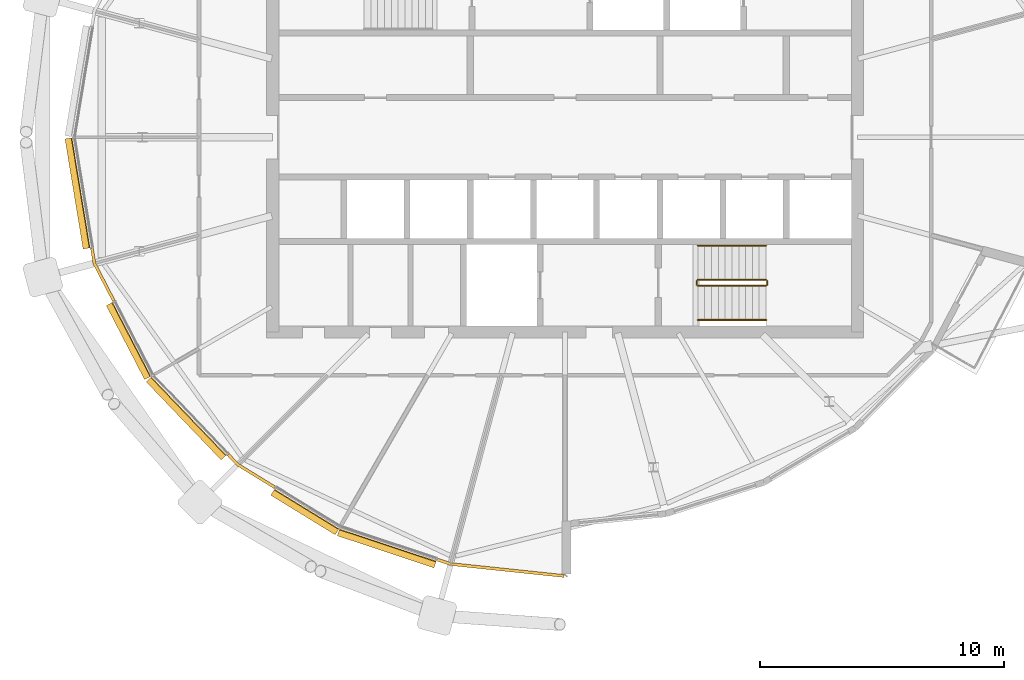
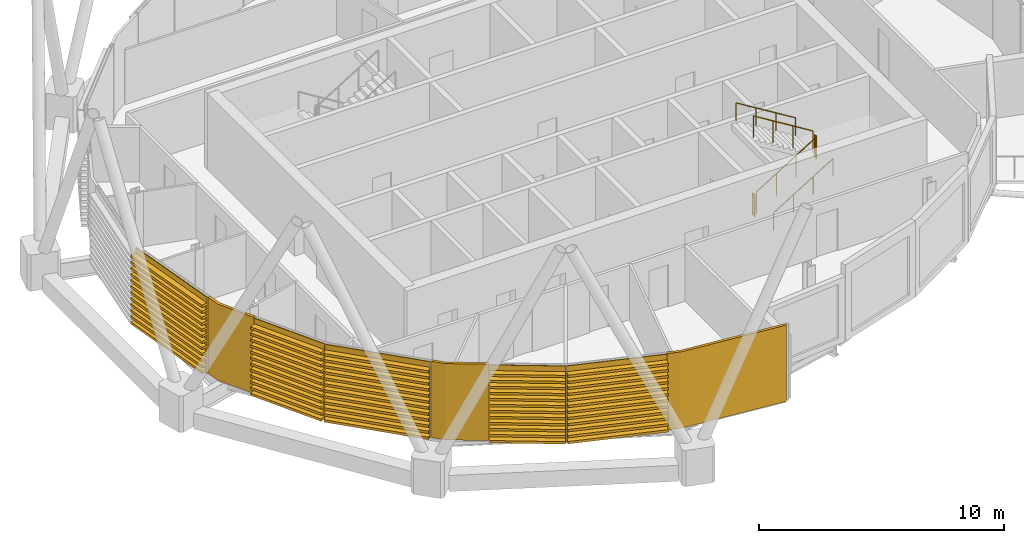
# One storey, part 26 of 31: 8 coverings, 6 railings.
"""IFC4 building model written with IfcOpenShell, lengths in metres."""

from ifc_helpers import new_model, si_unit, direction, frame, origin, origin_2d, place, context, subcontext, project, spatial, polyline, circle, outline, extrude, material, layer, layer_set, material_profile, profile_set, type_object, element, save


model = new_model("IFC4")

# Units and contexts
model_context = context("Model", 3, precision=1e-05, world=origin(), true_north=direction((0.0, 1.0)))
body_context = subcontext(model_context, "Body", "Model", "MODEL_VIEW")
ifc_project = project(units=[si_unit("LENGTHUNIT", "METRE"), si_unit("AREAUNIT", "SQUARE_METRE"), si_unit("VOLUMEUNIT", "CUBIC_METRE"), si_unit("PLANEANGLEUNIT", "RADIAN"), si_unit("MASSUNIT", "GRAM", prefix="KILO")], contexts=[model_context])

# Site, building, storey
site_placement = place(None, origin())
site = spatial("IfcSite", under=ifc_project, at=site_placement, CompositionType="ELEMENT")
building_placement = place(site_placement, origin())
building = spatial("IfcBuilding", under=site, at=building_placement, Name="Rimbun Link Towers", CompositionType="ELEMENT")
storey_placement = place(building_placement, frame((0.0, 0.0, 244.699951171875)))
storey = spatial("IfcBuildingStorey", under=building, at=storey_placement, Name="L60", CompositionType="ELEMENT", Elevation=244.699951171875)

# Coverings
ifc_material_1 = material(Name="Terracotta", Category="masonry")
ifc_layer = layer(ifc_material_1, 0.1201171875)
ifc_layer_set = layer_set([ifc_layer], Name="LINK PIER terracotta cladding 120")
covering_type_1 = type_object("IfcCoveringType", Name="LINK PIER terracotta cladding 120", PredefinedType="CLADDING", material=ifc_layer_set)
covering_1_placement = place(storey_placement, origin())
element("IfcCovering", 1, at=covering_1_placement, inside=storey, type_object=covering_type_1, Name="LINK PIER cladding", PredefinedType="CLADDING", context=body_context, shape_type="SweptSolid", body=[
    extrude(outline(polyline([(-50.21875, -6.688232421875), (-51.009033203125, -5.160400390625), (-51.109619140625, -4.548828125), (-51.22802734375, -4.568115234375), (-51.12451171875, -5.19873046875), (-50.3251953125, -6.7431640625), (-50.21875, -6.688232421875)])), origin(), (0.0, 0.0, 1.0), 3.800048828125),
])
covering_2_placement = place(storey_placement, origin())
element("IfcCovering", 2, at=covering_2_placement, inside=storey, type_object=covering_type_1, Name="LINK PIER cladding", PredefinedType="CLADDING", context=body_context, shape_type="SweptSolid", body=[
    extrude(outline(polyline([(-43.6337890625, -14.318115234375), (-45.14208984375, -13.39208984375), (-45.53662109375, -12.980712890625), (-45.623291015625, -13.063720703125), (-45.218017578125, -13.486328125), (-43.696533203125, -14.42041015625), (-43.6337890625, -14.318115234375)])), origin(), (0.0, 0.0, 1.0), 3.800048828125),
])
covering_3_placement = place(storey_placement, origin())
element("IfcCovering", 3, at=covering_3_placement, inside=storey, type_object=covering_type_1, Name="LINK PIER cladding", PredefinedType="CLADDING", context=body_context, shape_type="SweptSolid", body=[
    extrude(outline(polyline([(-31.77978515625, -17.9501953125), (-36.428466796875, -17.460693359375), (-36.969482421875, -17.28125), (-37.00732421875, -17.395263671875), (-36.453857421875, -17.57861328125), (-31.79248046875, -18.069580078125), (-31.77978515625, -17.9501953125)])), origin(), (0.0, 0.0, 1.0), 3.800048828125),
])

# Railings
ifc_material_2 = material(Name="Stainless steel grade 316", Category="steel")
railing_type_1 = type_object("IfcRailingType", Name="Stair guard", PredefinedType="GUARDRAIL", material=ifc_material_2)
railing_1_placement = place(storey_placement, frame((-26.300048828125, -6.10009765625, 0.1728515625)))
element("IfcRailing", 4, at=railing_1_placement, inside=storey, type_object=railing_type_1, Name="L60 ST2 stair guard 1", PredefinedType="GUARDRAIL", context=body_context, shape_type="SweptSolid", body=[
    extrude(circle(Radius=0.02392578125, at=origin_2d()), frame((0.0, 0.0, 1.076171875), z_axis=(0.851089632645, 0.0, 0.525020415988), x_axis=(0.0, 1.0, 0.0)), (0.0, 0.0, 1.0), 3.2900390625),
    extrude(circle(Radius=0.02099609375, at=origin_2d()), origin(), (0.0, 0.0, 1.0), 1.052001953125),
    extrude(circle(Radius=0.02099609375, at=origin_2d()), frame((0.933349609375, 0.0, 0.57568359375)), (0.0, 0.0, 1.0), 1.052001953125),
    extrude(circle(Radius=0.02099609375, at=origin_2d()), frame((1.86669921875, 0.0, 1.151611328125)), (0.0, 0.0, 1.0), 1.052001953125),
    extrude(circle(Radius=0.02099609375, at=origin_2d()), frame((2.800048828125, 0.0, 1.727294921875)), (0.0, 0.0, 1.0), 1.052001953125),
])
railing_2_placement = place(storey_placement, frame((-23.449951171875, -6.050048828125, 1.900146484375)))
element("IfcRailing", 5, at=railing_2_placement, inside=storey, type_object=railing_type_1, Name="L60 ST2 stair guard 2", PredefinedType="GUARDRAIL", context=body_context, shape_type="SweptSolid", body=[
    extrude(circle(Radius=0.02392578125, at=origin_2d()), frame((0.0, 0.0, 1.076171875), z_axis=(0.0, 1.0, 0.0), x_axis=(-1.0, 0.0, 0.0)), (0.0, 0.0, 1.0), 0.150146484375),
    extrude(circle(Radius=0.02099609375, at=origin_2d()), origin(), (0.0, 0.0, 1.0), 1.052001953125),
    extrude(circle(Radius=0.02099609375, at=origin_2d()), frame((0.0, 0.150146484375, 0.0)), (0.0, 0.0, 1.0), 1.052001953125),
])
railing_3_placement = place(storey_placement, frame((-23.5, -5.85009765625, 2.07275390625)))
element("IfcRailing", 6, at=railing_3_placement, inside=storey, type_object=railing_type_1, Name="L60 ST2 stair guard 3", PredefinedType="GUARDRAIL", context=body_context, shape_type="SweptSolid", body=[
    extrude(circle(Radius=0.02392578125, at=origin_2d()), frame((0.0, 0.0, 1.076171875), z_axis=(-0.851089632645, 0.0, 0.525020415988), x_axis=(0.0, -1.0, 0.0)), (0.0, 0.0, 1.0), 3.2900390625),
    extrude(circle(Radius=0.02099609375, at=origin_2d()), origin(), (0.0, 0.0, 1.0), 1.052001953125),
    extrude(circle(Radius=0.02099609375, at=origin_2d()), frame((-0.933349609375, 0.0, 0.57568359375)), (0.0, 0.0, 1.0), 1.052001953125),
    extrude(circle(Radius=0.02099609375, at=origin_2d()), frame((-1.86669921875, 0.0, 1.151611328125)), (0.0, 0.0, 1.0), 1.052001953125),
    extrude(circle(Radius=0.02099609375, at=origin_2d()), frame((-2.800048828125, 0.0, 1.727294921875)), (0.0, 0.0, 1.0), 1.052001953125),
])
railing_4_placement = place(storey_placement, frame((-26.35009765625, -6.050048828125, 0.0)))
element("IfcRailing", 7, at=railing_4_placement, inside=storey, type_object=railing_type_1, Name="L60 ST2 stair guard 4", PredefinedType="GUARDRAIL", context=body_context, shape_type="SweptSolid", body=[
    extrude(circle(Radius=0.02392578125, at=origin_2d()), frame((0.0, 0.0, 1.076171875), z_axis=(0.0, 1.0, 0.0), x_axis=(-1.0, 0.0, 0.0)), (0.0, 0.0, 1.0), 0.150146484375),
    extrude(circle(Radius=0.02099609375, at=origin_2d()), origin(), (0.0, 0.0, 1.0), 1.052001953125),
    extrude(circle(Radius=0.02099609375, at=origin_2d()), frame((0.0, 0.150146484375, 0.0)), (0.0, 0.0, 1.0), 1.052001953125),
])
ifc_material_3 = material(Name="Stainless steel grade 316", Category="steel")
railing_type_2 = type_object("IfcRailingType", Name="Stair handrail", PredefinedType="HANDRAIL", material=ifc_material_3)
railing_5_placement = place(storey_placement, frame((-26.300048828125, -7.5, 0.1728515625)))
element("IfcRailing", 8, at=railing_5_placement, inside=storey, type_object=railing_type_2, Name="L60 ST2 stair handrail 1", PredefinedType="HANDRAIL", context=body_context, shape_type="SweptSolid", body=[
    extrude(circle(Radius=0.02392578125, at=origin_2d()), frame((0.0, 0.0, 0.8759765625), z_axis=(0.851089632645, 0.0, 0.525020415988), x_axis=(0.0, 1.0, 0.0)), (0.0, 0.0, 1.0), 3.2900390625),
    extrude(circle(Radius=0.02099609375, at=origin_2d()), origin(), (0.0, 0.0, 1.0), 0.851806640625),
    extrude(circle(Radius=0.02099609375, at=origin_2d()), frame((0.933349609375, 0.0, 0.57568359375)), (0.0, 0.0, 1.0), 0.851806640625),
    extrude(circle(Radius=0.02099609375, at=origin_2d()), frame((1.86669921875, 0.0, 1.151611328125)), (0.0, 0.0, 1.0), 0.851806640625),
    extrude(circle(Radius=0.02099609375, at=origin_2d()), frame((2.800048828125, 0.0, 1.727294921875)), (0.0, 0.0, 1.0), 0.851806640625),
])
railing_6_placement = place(storey_placement, frame((-23.5, -4.449951171875, 2.07275390625)))
element("IfcRailing", 9, at=railing_6_placement, inside=storey, type_object=railing_type_2, Name="L60 ST2 stair handrail 2", PredefinedType="HANDRAIL", context=body_context, shape_type="SweptSolid", body=[
    extrude(circle(Radius=0.02392578125, at=origin_2d()), frame((0.0, 0.0, 0.8759765625), z_axis=(-0.851089632645, 0.0, 0.525020415988), x_axis=(0.0, -1.0, 0.0)), (0.0, 0.0, 1.0), 3.2900390625),
    extrude(circle(Radius=0.02099609375, at=origin_2d()), origin(), (0.0, 0.0, 1.0), 0.851806640625),
    extrude(circle(Radius=0.02099609375, at=origin_2d()), frame((-0.933349609375, 0.0, 0.57568359375)), (0.0, 0.0, 1.0), 0.851806640625),
    extrude(circle(Radius=0.02099609375, at=origin_2d()), frame((-1.86669921875, 0.0, 1.151611328125)), (0.0, 0.0, 1.0), 0.851806640625),
    extrude(circle(Radius=0.02099609375, at=origin_2d()), frame((-2.800048828125, 0.0, 1.727294921875)), (0.0, 0.0, 1.0), 0.851806640625),
])

# Coverings
ifc_material_4 = material(Name="Terracotta", Category="masonry")
ifc_material_profile = material_profile(ifc_material_4, outline(polyline([(0.123046875, 0.0), (0.1630859375, 0.0), (0.1630859375, 0.10009765625), (0.423095703125, 0.10009765625), (0.423095703125, 0.219970703125), (0.1630859375, 0.219970703125), (0.1630859375, 0.39990234375), (0.423095703125, 0.39990234375), (0.423095703125, 0.52001953125), (0.1630859375, 0.52001953125), (0.1630859375, 0.699951171875), (0.423095703125, 0.699951171875), (0.423095703125, 0.820068359375), (0.1630859375, 0.820068359375), (0.1630859375, 1.0), (0.423095703125, 1.0), (0.423095703125, 1.1201171875), (0.1630859375, 1.1201171875), (0.1630859375, 1.300048828125), (0.423095703125, 1.300048828125), (0.423095703125, 1.419921875), (0.1630859375, 1.419921875), (0.1630859375, 1.60009765625), (0.423095703125, 1.60009765625), (0.423095703125, 1.719970703125), (0.1630859375, 1.719970703125), (0.1630859375, 1.89990234375), (0.423095703125, 1.89990234375), (0.423095703125, 2.02001953125), (0.1630859375, 2.02001953125), (0.1630859375, 2.199951171875), (0.423095703125, 2.199951171875), (0.423095703125, 2.320068359375), (0.1630859375, 2.320068359375), (0.1630859375, 2.5), (0.423095703125, 2.5), (0.423095703125, 2.6201171875), (0.1630859375, 2.6201171875), (0.1630859375, 2.800048828125), (0.423095703125, 2.800048828125), (0.423095703125, 2.919921875), (0.1630859375, 2.919921875), (0.1630859375, 3.10009765625), (0.423095703125, 3.10009765625), (0.423095703125, 3.219970703125), (0.1630859375, 3.219970703125), (0.1630859375, 3.39990234375), (0.423095703125, 3.39990234375), (0.423095703125, 3.52001953125), (0.1630859375, 3.52001953125), (0.1630859375, 3.800048828125), (0.123046875, 3.800048828125), (0.123046875, 0.0)])), Name="BAGUETTE 120X300")
ifc_profile_set = profile_set([ifc_material_profile], Name="Terracotta")
covering_type_2 = type_object("IfcCoveringType", Name="TERRACOTTA BAGUETTE 120X300 H3800", PredefinedType="CLADDING", material=ifc_profile_set)
covering_4_placement = place(storey_placement, frame((-51.114501953125, -4.51904296875, 0.0), z_axis=(-0.162272015978, 0.986746062992, 0.0), x_axis=(-0.986746062992, -0.162272015978, 0.0)))
element("IfcCovering", 10, at=covering_4_placement, inside=storey, type_object=covering_type_2, Name="TERRACOTTA BAGUETTE", PredefinedType="CLADDING", context=body_context, shape_type="SweptSolid", body=[
    extrude(outline(polyline([(0.123046875, 0.0), (0.1630859375, 0.0), (0.1630859375, 0.10009765625), (0.423095703125, 0.10009765625), (0.423095703125, 0.219970703125), (0.1630859375, 0.219970703125), (0.1630859375, 0.39990234375), (0.423095703125, 0.39990234375), (0.423095703125, 0.52001953125), (0.1630859375, 0.52001953125), (0.1630859375, 0.699951171875), (0.423095703125, 0.699951171875), (0.423095703125, 0.820068359375), (0.1630859375, 0.820068359375), (0.1630859375, 1.0), (0.423095703125, 1.0), (0.423095703125, 1.1201171875), (0.1630859375, 1.1201171875), (0.1630859375, 1.300048828125), (0.423095703125, 1.300048828125), (0.423095703125, 1.419921875), (0.1630859375, 1.419921875), (0.1630859375, 1.60009765625), (0.423095703125, 1.60009765625), (0.423095703125, 1.719970703125), (0.1630859375, 1.719970703125), (0.1630859375, 1.89990234375), (0.423095703125, 1.89990234375), (0.423095703125, 2.02001953125), (0.1630859375, 2.02001953125), (0.1630859375, 2.199951171875), (0.423095703125, 2.199951171875), (0.423095703125, 2.320068359375), (0.1630859375, 2.320068359375), (0.1630859375, 2.5), (0.423095703125, 2.5), (0.423095703125, 2.6201171875), (0.1630859375, 2.6201171875), (0.1630859375, 2.800048828125), (0.423095703125, 2.800048828125), (0.423095703125, 2.919921875), (0.1630859375, 2.919921875), (0.1630859375, 3.10009765625), (0.423095703125, 3.10009765625), (0.423095703125, 3.219970703125), (0.1630859375, 3.219970703125), (0.1630859375, 3.39990234375), (0.423095703125, 3.39990234375), (0.423095703125, 3.52001953125), (0.1630859375, 3.52001953125), (0.1630859375, 3.800048828125), (0.123046875, 3.800048828125), (0.123046875, 0.0)])), origin(), (0.0, 0.0, 1.0), 4.579833984375),
])
covering_5_placement = place(storey_placement, frame((-48.635009765625, -9.74853515625, 0.0), z_axis=(-0.459578465218, 0.888137170885, 0.0), x_axis=(-0.888137170885, -0.459578465218, 0.0)))
element("IfcCovering", 11, at=covering_5_placement, inside=storey, type_object=covering_type_2, Name="TERRACOTTA BAGUETTE", PredefinedType="CLADDING", context=body_context, shape_type="SweptSolid", body=[
    extrude(outline(polyline([(0.123046875, 0.0), (0.1630859375, 0.0), (0.1630859375, 0.10009765625), (0.423095703125, 0.10009765625), (0.423095703125, 0.219970703125), (0.1630859375, 0.219970703125), (0.1630859375, 0.39990234375), (0.423095703125, 0.39990234375), (0.423095703125, 0.52001953125), (0.1630859375, 0.52001953125), (0.1630859375, 0.699951171875), (0.423095703125, 0.699951171875), (0.423095703125, 0.820068359375), (0.1630859375, 0.820068359375), (0.1630859375, 1.0), (0.423095703125, 1.0), (0.423095703125, 1.1201171875), (0.1630859375, 1.1201171875), (0.1630859375, 1.300048828125), (0.423095703125, 1.300048828125), (0.423095703125, 1.419921875), (0.1630859375, 1.419921875), (0.1630859375, 1.60009765625), (0.423095703125, 1.60009765625), (0.423095703125, 1.719970703125), (0.1630859375, 1.719970703125), (0.1630859375, 1.89990234375), (0.423095703125, 1.89990234375), (0.423095703125, 2.02001953125), (0.1630859375, 2.02001953125), (0.1630859375, 2.199951171875), (0.423095703125, 2.199951171875), (0.423095703125, 2.320068359375), (0.1630859375, 2.320068359375), (0.1630859375, 2.5), (0.423095703125, 2.5), (0.423095703125, 2.6201171875), (0.1630859375, 2.6201171875), (0.1630859375, 2.800048828125), (0.423095703125, 2.800048828125), (0.423095703125, 2.919921875), (0.1630859375, 2.919921875), (0.1630859375, 3.10009765625), (0.423095703125, 3.10009765625), (0.423095703125, 3.219970703125), (0.1630859375, 3.219970703125), (0.1630859375, 3.39990234375), (0.423095703125, 3.39990234375), (0.423095703125, 3.52001953125), (0.1630859375, 3.52001953125), (0.1630859375, 3.800048828125), (0.123046875, 3.800048828125), (0.123046875, 0.0)])), origin(), (0.0, 0.0, 1.0), 3.415771484375),
])
covering_6_placement = place(storey_placement, frame((-45.557373046875, -12.958984375, 0.0), z_axis=(-0.692017431912, 0.721880789279, 0.0), x_axis=(-0.721880789279, -0.692017431912, 0.0)))
element("IfcCovering", 12, at=covering_6_placement, inside=storey, type_object=covering_type_2, Name="TERRACOTTA BAGUETTE", PredefinedType="CLADDING", context=body_context, shape_type="SweptSolid", body=[
    extrude(outline(polyline([(0.123046875, 0.0), (0.1630859375, 0.0), (0.1630859375, 0.10009765625), (0.423095703125, 0.10009765625), (0.423095703125, 0.219970703125), (0.1630859375, 0.219970703125), (0.1630859375, 0.39990234375), (0.423095703125, 0.39990234375), (0.423095703125, 0.52001953125), (0.1630859375, 0.52001953125), (0.1630859375, 0.699951171875), (0.423095703125, 0.699951171875), (0.423095703125, 0.820068359375), (0.1630859375, 0.820068359375), (0.1630859375, 1.0), (0.423095703125, 1.0), (0.423095703125, 1.1201171875), (0.1630859375, 1.1201171875), (0.1630859375, 1.300048828125), (0.423095703125, 1.300048828125), (0.423095703125, 1.419921875), (0.1630859375, 1.419921875), (0.1630859375, 1.60009765625), (0.423095703125, 1.60009765625), (0.423095703125, 1.719970703125), (0.1630859375, 1.719970703125), (0.1630859375, 1.89990234375), (0.423095703125, 1.89990234375), (0.423095703125, 2.02001953125), (0.1630859375, 2.02001953125), (0.1630859375, 2.199951171875), (0.423095703125, 2.199951171875), (0.423095703125, 2.320068359375), (0.1630859375, 2.320068359375), (0.1630859375, 2.5), (0.423095703125, 2.5), (0.423095703125, 2.6201171875), (0.1630859375, 2.6201171875), (0.1630859375, 2.800048828125), (0.423095703125, 2.800048828125), (0.423095703125, 2.919921875), (0.1630859375, 2.919921875), (0.1630859375, 3.10009765625), (0.423095703125, 3.10009765625), (0.423095703125, 3.219970703125), (0.1630859375, 3.219970703125), (0.1630859375, 3.39990234375), (0.423095703125, 3.39990234375), (0.423095703125, 3.52001953125), (0.1630859375, 3.52001953125), (0.1630859375, 3.800048828125), (0.123046875, 3.800048828125), (0.123046875, 0.0)])), origin(), (0.0, 0.0, 1.0), 4.447265625),
])
covering_7_placement = place(storey_placement, frame((-40.96337890625, -15.957763671875, 0.0), z_axis=(-0.852200764088, 0.523214924947, 0.0), x_axis=(-0.523214924947, -0.852200764088, 0.0)))
element("IfcCovering", 13, at=covering_7_placement, inside=storey, type_object=covering_type_2, Name="TERRACOTTA BAGUETTE", PredefinedType="CLADDING", context=body_context, shape_type="SweptSolid", body=[
    extrude(outline(polyline([(0.123046875, 0.0), (0.1630859375, 0.0), (0.1630859375, 0.10009765625), (0.423095703125, 0.10009765625), (0.423095703125, 0.219970703125), (0.1630859375, 0.219970703125), (0.1630859375, 0.39990234375), (0.423095703125, 0.39990234375), (0.423095703125, 0.52001953125), (0.1630859375, 0.52001953125), (0.1630859375, 0.699951171875), (0.423095703125, 0.699951171875), (0.423095703125, 0.820068359375), (0.1630859375, 0.820068359375), (0.1630859375, 1.0), (0.423095703125, 1.0), (0.423095703125, 1.1201171875), (0.1630859375, 1.1201171875), (0.1630859375, 1.300048828125), (0.423095703125, 1.300048828125), (0.423095703125, 1.419921875), (0.1630859375, 1.419921875), (0.1630859375, 1.60009765625), (0.423095703125, 1.60009765625), (0.423095703125, 1.719970703125), (0.1630859375, 1.719970703125), (0.1630859375, 1.89990234375), (0.423095703125, 1.89990234375), (0.423095703125, 2.02001953125), (0.1630859375, 2.02001953125), (0.1630859375, 2.199951171875), (0.423095703125, 2.199951171875), (0.423095703125, 2.320068359375), (0.1630859375, 2.320068359375), (0.1630859375, 2.5), (0.423095703125, 2.5), (0.423095703125, 2.6201171875), (0.1630859375, 2.6201171875), (0.1630859375, 2.800048828125), (0.423095703125, 2.800048828125), (0.423095703125, 2.919921875), (0.1630859375, 2.919921875), (0.1630859375, 3.10009765625), (0.423095703125, 3.10009765625), (0.423095703125, 3.219970703125), (0.1630859375, 3.219970703125), (0.1630859375, 3.39990234375), (0.423095703125, 3.39990234375), (0.423095703125, 3.52001953125), (0.1630859375, 3.52001953125), (0.1630859375, 3.800048828125), (0.123046875, 3.800048828125), (0.123046875, 0.0)])), origin(), (0.0, 0.0, 1.0), 3.103515625),
])
covering_8_placement = place(storey_placement, frame((-36.998046875, -17.27197265625, 0.0), z_axis=(-0.949225413379, 0.314596749182, 0.0), x_axis=(-0.314596749182, -0.949225413379, 0.0)))
element("IfcCovering", 14, at=covering_8_placement, inside=storey, type_object=covering_type_2, Name="TERRACOTTA BAGUETTE", PredefinedType="CLADDING", context=body_context, shape_type="SweptSolid", body=[
    extrude(outline(polyline([(0.123046875, 0.0), (0.1630859375, 0.0), (0.1630859375, 0.10009765625), (0.423095703125, 0.10009765625), (0.423095703125, 0.219970703125), (0.1630859375, 0.219970703125), (0.1630859375, 0.39990234375), (0.423095703125, 0.39990234375), (0.423095703125, 0.52001953125), (0.1630859375, 0.52001953125), (0.1630859375, 0.699951171875), (0.423095703125, 0.699951171875), (0.423095703125, 0.820068359375), (0.1630859375, 0.820068359375), (0.1630859375, 1.0), (0.423095703125, 1.0), (0.423095703125, 1.1201171875), (0.1630859375, 1.1201171875), (0.1630859375, 1.300048828125), (0.423095703125, 1.300048828125), (0.423095703125, 1.419921875), (0.1630859375, 1.419921875), (0.1630859375, 1.60009765625), (0.423095703125, 1.60009765625), (0.423095703125, 1.719970703125), (0.1630859375, 1.719970703125), (0.1630859375, 1.89990234375), (0.423095703125, 1.89990234375), (0.423095703125, 2.02001953125), (0.1630859375, 2.02001953125), (0.1630859375, 2.199951171875), (0.423095703125, 2.199951171875), (0.423095703125, 2.320068359375), (0.1630859375, 2.320068359375), (0.1630859375, 2.5), (0.423095703125, 2.5), (0.423095703125, 2.6201171875), (0.1630859375, 2.6201171875), (0.1630859375, 2.800048828125), (0.423095703125, 2.800048828125), (0.423095703125, 2.919921875), (0.1630859375, 2.919921875), (0.1630859375, 3.10009765625), (0.423095703125, 3.10009765625), (0.423095703125, 3.219970703125), (0.1630859375, 3.219970703125), (0.1630859375, 3.39990234375), (0.423095703125, 3.39990234375), (0.423095703125, 3.52001953125), (0.1630859375, 3.52001953125), (0.1630859375, 3.800048828125), (0.123046875, 3.800048828125), (0.123046875, 0.0)])), origin(), (0.0, 0.0, 1.0), 4.177490234375),
])

save(model, "model.ifc")
